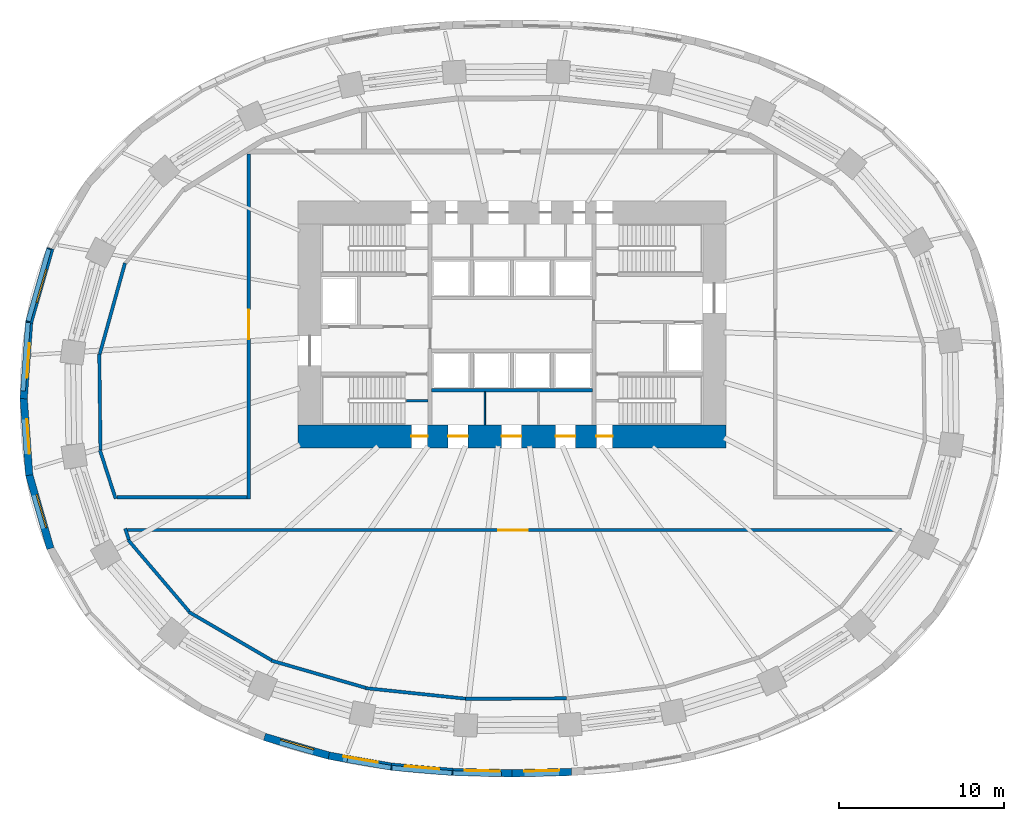
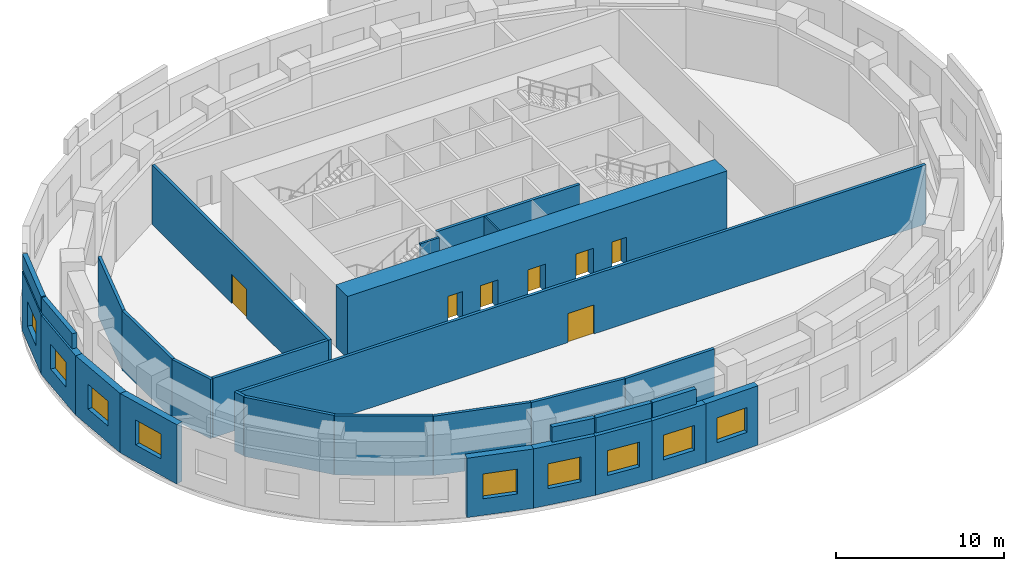
# One storey, part 4 of 9: 30 walls, 9 windows, 7 doors, 16 openings.
"""IFC4 building model written with IfcOpenShell, lengths in metres."""

from ifc_helpers import new_model, si_unit, direction, frame, frame_2d, origin, place, context, subcontext, project, spatial, rectangle, extrude, material, layer, layer_set, type_object, element, fill, save


model = new_model("IFC4")

# Units and contexts
model_context = context("Model", 3, precision=1e-05, world=origin(), true_north=direction((0.0, 1.0)))
body_context = subcontext(model_context, "Body", "Model", "MODEL_VIEW")
ifc_project = project(units=[si_unit("LENGTHUNIT", "METRE"), si_unit("AREAUNIT", "SQUARE_METRE"), si_unit("VOLUMEUNIT", "CUBIC_METRE"), si_unit("PLANEANGLEUNIT", "RADIAN"), si_unit("MASSUNIT", "GRAM", prefix="KILO")], contexts=[model_context])

# Site, building, storey
site_placement = place(None, origin())
site = spatial("IfcSite", under=ifc_project, at=site_placement, CompositionType="ELEMENT")
building_placement = place(site_placement, origin())
building = spatial("IfcBuilding", under=site, at=building_placement, Name="Rubra Terraces Tower", CompositionType="ELEMENT")
storey_placement = place(building_placement, frame((0.0, 0.0, 33.0)))
storey = spatial("IfcBuildingStorey", under=building, at=storey_placement, Name="L05", CompositionType="ELEMENT", Elevation=33.0)

# Wall, opening, window
ifc_material_1 = material(Name="Brick masonry red-brown", Category="masonry")
ifc_layer_1 = layer(ifc_material_1, 0.449951171875)
ifc_layer_set_1 = layer_set([ifc_layer_1], Name="Brick masonry red-brown")
wall_type_1 = type_object("IfcWallType", Name="Brick facade wall 450", PredefinedType="SOLIDWALL", material=ifc_layer_set_1)
wall_1_placement = place(storey_placement, frame((-28.0517578125, 9.122802734375, 0.0), z_axis=(0.0, 0.0, 1.0), x_axis=(-0.27637239746, -0.961050621935, 0.0)))
wall_1 = element("IfcWall", 1, at=wall_1_placement, inside=storey, type_object=wall_type_1, Name="Facade wall L05 bay 19", PredefinedType="SOLIDWALL", context=body_context, shape_type="SweptSolid", body=[
    extrude(rectangle(XDim=4.685302734375, YDim=0.449951171875, at=frame_2d((2.3427734375, 0.0))), origin(), (0.0, 0.0, 1.0), 4.300048828125),
])
opening_1_placement = place(wall_1_placement, frame((1.292724609375, 0.0, 1.199951171875)))
opening_1 = element("IfcOpeningElement", 2, at=opening_1_placement, cuts=wall_1, Name="Opening W4", PredefinedType="OPENING", context=body_context, shape_type="SweptSolid", body=[
    extrude(rectangle(XDim=2.10009765625, YDim=1.800048828125, at=frame_2d((1.050048828125, 0.89990234375))), frame((0.0, 0.23486328125, 0.0), z_axis=(0.0, -1.0, 0.0), x_axis=(1.0, 0.0, 0.0)), (0.0, 0.0, 1.0), 0.469970703125),
])
ifc_material_2 = material(Name="Clear glass in aluminium frame", Category="aluminium")
window_type = type_object("IfcWindowType", Name="Louvred plant window 2100 x 1800", PartitioningType="SINGLE_PANEL", PredefinedType="WINDOW", material=ifc_material_2)
window_1_placement = place(opening_1_placement, origin())
window_1 = element("IfcWindow", 3, at=window_1_placement, inside=storey, type_object=window_type, Name="Window L05 bay 19", OverallHeight=1.800048828125, OverallWidth=2.10009765625, PartitioningType="SINGLE_PANEL", PredefinedType="WINDOW", context=body_context, shape_type="SweptSolid", body=[
    extrude(rectangle(XDim=2.10009765625, YDim=1.800048828125, at=frame_2d((1.050048828125, 0.89990234375))), frame((0.0, 0.135009765625, 0.0), z_axis=(0.0, -1.0, 0.0), x_axis=(1.0, 0.0, 0.0)), (0.0, 0.0, 1.0), 0.06005859375),
])
fill(opening_1, window_1)

wall_2_placement = place(storey_placement, frame((-29.338623046875, 4.665771484375, 0.0), z_axis=(0.0, 0.0, 1.0), x_axis=(-0.071775601577, -0.997420805387, 0.0)))
wall_2 = element("IfcWall", 4, at=wall_2_placement, inside=storey, type_object=wall_type_1, Name="Facade wall L05 bay 20", PredefinedType="SOLIDWALL", context=body_context, shape_type="SweptSolid", body=[
    extrude(rectangle(XDim=4.694091796875, YDim=0.449951171875, at=frame_2d((2.34716796875, 0.0))), origin(), (0.0, 0.0, 1.0), 4.300048828125),
])
opening_2_placement = place(wall_2_placement, frame((1.297119140625, 0.0, 1.199951171875)))
opening_2 = element("IfcOpeningElement", 5, at=opening_2_placement, cuts=wall_2, Name="Opening W4", PredefinedType="OPENING", context=body_context, shape_type="SweptSolid", body=[
    extrude(rectangle(XDim=2.10009765625, YDim=1.800048828125, at=frame_2d((1.050048828125, 0.89990234375))), frame((0.0, 0.23486328125, 0.0), z_axis=(0.0, -1.0, 0.0), x_axis=(1.0, 0.0, 0.0)), (0.0, 0.0, 1.0), 0.469970703125),
])
window_2_placement = place(opening_2_placement, origin())
window_2 = element("IfcWindow", 6, at=window_2_placement, inside=storey, type_object=window_type, Name="Window L05 bay 20", OverallHeight=1.800048828125, OverallWidth=2.10009765625, PartitioningType="SINGLE_PANEL", PredefinedType="WINDOW", context=body_context, shape_type="SweptSolid", body=[
    extrude(rectangle(XDim=2.10009765625, YDim=1.800048828125, at=frame_2d((1.050048828125, 0.89990234375))), frame((0.0, 0.135009765625, 0.0), z_axis=(0.0, -1.0, 0.0), x_axis=(1.0, 0.0, 0.0)), (0.0, 0.0, 1.0), 0.06005859375),
])
fill(opening_2, window_2)

wall_3_placement = place(storey_placement, frame((-29.675537109375, 0.01611328125, 0.0), z_axis=(0.0, 0.0, 1.0), x_axis=(0.071775601577, -0.997420805387, 0.0)))
wall_3 = element("IfcWall", 7, at=wall_3_placement, inside=storey, type_object=wall_type_1, Name="Facade wall L05 bay 21", PredefinedType="SOLIDWALL", context=body_context, shape_type="SweptSolid", body=[
    extrude(rectangle(XDim=4.694091796875, YDim=0.449951171875, at=frame_2d((2.34716796875, 0.0))), origin(), (0.0, 0.0, 1.0), 4.300048828125),
])
opening_3_placement = place(wall_3_placement, frame((1.297119140625, 0.0, 1.199951171875)))
opening_3 = element("IfcOpeningElement", 8, at=opening_3_placement, cuts=wall_3, Name="Opening W4", PredefinedType="OPENING", context=body_context, shape_type="SweptSolid", body=[
    extrude(rectangle(XDim=2.10009765625, YDim=1.800048828125, at=frame_2d((1.050048828125, 0.89990234375))), frame((0.0, 0.23486328125, 0.0), z_axis=(0.0, -1.0, 0.0), x_axis=(1.0, 0.0, 0.0)), (0.0, 0.0, 1.0), 0.469970703125),
])
window_3_placement = place(opening_3_placement, origin())
window_3 = element("IfcWindow", 9, at=window_3_placement, inside=storey, type_object=window_type, Name="Window L05 bay 21", OverallHeight=1.800048828125, OverallWidth=2.10009765625, PartitioningType="SINGLE_PANEL", PredefinedType="WINDOW", context=body_context, shape_type="SweptSolid", body=[
    extrude(rectangle(XDim=2.10009765625, YDim=1.800048828125, at=frame_2d((1.050048828125, 0.89990234375))), frame((0.0, 0.135009765625, 0.0), z_axis=(0.0, -1.0, 0.0), x_axis=(1.0, 0.0, 0.0)), (0.0, 0.0, 1.0), 0.06005859375),
])
fill(opening_3, window_3)

wall_4_placement = place(storey_placement, frame((-29.3466796875, -4.619873046875, 0.0), z_axis=(0.0, 0.0, 1.0), x_axis=(0.27637239746, -0.961050621935, 0.0)))
wall_4 = element("IfcWall", 10, at=wall_4_placement, inside=storey, type_object=wall_type_1, Name="Facade wall L05 bay 22", PredefinedType="SOLIDWALL", context=body_context, shape_type="SweptSolid", body=[
    extrude(rectangle(XDim=4.685302734375, YDim=0.449951171875, at=frame_2d((2.3427734375, 0.0))), origin(), (0.0, 0.0, 1.0), 4.300048828125),
])
opening_4_placement = place(wall_4_placement, frame((1.292724609375, 0.0, 1.199951171875)))
opening_4 = element("IfcOpeningElement", 11, at=opening_4_placement, cuts=wall_4, Name="Opening W4", PredefinedType="OPENING", context=body_context, shape_type="SweptSolid", body=[
    extrude(rectangle(XDim=2.10009765625, YDim=1.800048828125, at=frame_2d((1.050048828125, 0.89990234375))), frame((0.0, 0.23486328125, 0.0), z_axis=(0.0, -1.0, 0.0), x_axis=(1.0, 0.0, 0.0)), (0.0, 0.0, 1.0), 0.469970703125),
])
window_4_placement = place(opening_4_placement, origin())
window_4 = element("IfcWindow", 12, at=window_4_placement, inside=storey, type_object=window_type, Name="Window L05 bay 22", OverallHeight=1.800048828125, OverallWidth=2.10009765625, PartitioningType="SINGLE_PANEL", PredefinedType="WINDOW", context=body_context, shape_type="SweptSolid", body=[
    extrude(rectangle(XDim=2.10009765625, YDim=1.800048828125, at=frame_2d((1.050048828125, 0.89990234375))), frame((0.0, 0.135009765625, 0.0), z_axis=(0.0, -1.0, 0.0), x_axis=(1.0, 0.0, 0.0)), (0.0, 0.0, 1.0), 0.06005859375),
])
fill(opening_4, window_4)

wall_5_placement = place(storey_placement, frame((-15.0380859375, -20.569091796875, 0.0), z_axis=(0.0, 0.0, 1.0), x_axis=(0.960186274122, -0.279360553743, 0.0)))
wall_5 = element("IfcWall", 13, at=wall_5_placement, inside=storey, type_object=wall_type_1, Name="Facade wall L05 bay 27", PredefinedType="SOLIDWALL", context=body_context, shape_type="SweptSolid", body=[
    extrude(rectangle(XDim=4.0908203125, YDim=0.449951171875, at=frame_2d((2.04541015625, 0.0))), origin(), (0.0, 0.0, 1.0), 4.300048828125),
])
opening_5_placement = place(wall_5_placement, frame((0.99560546875, 0.0, 1.199951171875)))
opening_5 = element("IfcOpeningElement", 14, at=opening_5_placement, cuts=wall_5, Name="Opening W4", PredefinedType="OPENING", context=body_context, shape_type="SweptSolid", body=[
    extrude(rectangle(XDim=2.10009765625, YDim=1.800048828125, at=frame_2d((1.050048828125, 0.89990234375))), frame((0.0, 0.23486328125, 0.0), z_axis=(0.0, -1.0, 0.0), x_axis=(1.0, 0.0, 0.0)), (0.0, 0.0, 1.0), 0.469970703125),
])
window_5_placement = place(opening_5_placement, origin())
window_5 = element("IfcWindow", 15, at=window_5_placement, inside=storey, type_object=window_type, Name="Window L05 bay 27", OverallHeight=1.800048828125, OverallWidth=2.10009765625, PartitioningType="SINGLE_PANEL", PredefinedType="WINDOW", context=body_context, shape_type="SweptSolid", body=[
    extrude(rectangle(XDim=2.10009765625, YDim=1.800048828125, at=frame_2d((1.050048828125, 0.89990234375))), frame((0.0, 0.135009765625, 0.0), z_axis=(0.0, -1.0, 0.0), x_axis=(1.0, 0.0, 0.0)), (0.0, 0.0, 1.0), 0.06005859375),
])
fill(opening_5, window_5)

wall_6_placement = place(storey_placement, frame((-11.134033203125, -21.706298828125, 0.0), z_axis=(0.0, 0.0, 1.0), x_axis=(0.984947461591, -0.172853978566, 0.0)))
wall_6 = element("IfcWall", 16, at=wall_6_placement, inside=storey, type_object=wall_type_1, Name="Facade wall L05 bay 28", PredefinedType="SOLIDWALL", context=body_context, shape_type="SweptSolid", body=[
    extrude(rectangle(XDim=3.888427734375, YDim=0.449951171875, at=frame_2d((1.9443359375, 0.0))), origin(), (0.0, 0.0, 1.0), 4.300048828125),
])
opening_6_placement = place(wall_6_placement, frame((0.894287109375, 0.0, 1.199951171875)))
opening_6 = element("IfcOpeningElement", 17, at=opening_6_placement, cuts=wall_6, Name="Opening W4", PredefinedType="OPENING", context=body_context, shape_type="SweptSolid", body=[
    extrude(rectangle(XDim=2.10009765625, YDim=1.800048828125, at=frame_2d((1.050048828125, 0.89990234375))), frame((0.0, 0.23486328125, 0.0), z_axis=(0.0, -1.0, 0.0), x_axis=(1.0, 0.0, 0.0)), (0.0, 0.0, 1.0), 0.469970703125),
])
window_6_placement = place(opening_6_placement, origin())
window_6 = element("IfcWindow", 18, at=window_6_placement, inside=storey, type_object=window_type, Name="Window L05 bay 28", OverallHeight=1.800048828125, OverallWidth=2.10009765625, PartitioningType="SINGLE_PANEL", PredefinedType="WINDOW", context=body_context, shape_type="SweptSolid", body=[
    extrude(rectangle(XDim=2.10009765625, YDim=1.800048828125, at=frame_2d((1.050048828125, 0.89990234375))), frame((0.0, 0.135009765625, 0.0), z_axis=(0.0, -1.0, 0.0), x_axis=(1.0, 0.0, 0.0)), (0.0, 0.0, 1.0), 0.06005859375),
])
fill(opening_6, window_6)

wall_7_placement = place(storey_placement, frame((-7.323486328125, -22.375732421875, 0.0), z_axis=(0.0, 0.0, 1.0), x_axis=(0.996259982326, -0.086406293838, 0.0)))
wall_7 = element("IfcWall", 19, at=wall_7_placement, inside=storey, type_object=wall_type_1, Name="Facade wall L05 bay 29", PredefinedType="SOLIDWALL", context=body_context, shape_type="SweptSolid", body=[
    extrude(rectangle(XDim=3.726806640625, YDim=0.449951171875, at=frame_2d((1.86328125, 0.0))), origin(), (0.0, 0.0, 1.0), 4.300048828125),
])
opening_7_placement = place(wall_7_placement, frame((0.8134765625, 0.0, 1.199951171875)))
opening_7 = element("IfcOpeningElement", 20, at=opening_7_placement, cuts=wall_7, Name="Opening W4", PredefinedType="OPENING", context=body_context, shape_type="SweptSolid", body=[
    extrude(rectangle(XDim=2.10009765625, YDim=1.800048828125, at=frame_2d((1.050048828125, 0.89990234375))), frame((0.0, 0.23486328125, 0.0), z_axis=(0.0, -1.0, 0.0), x_axis=(1.0, 0.0, 0.0)), (0.0, 0.0, 1.0), 0.469970703125),
])
window_7_placement = place(opening_7_placement, origin())
window_7 = element("IfcWindow", 21, at=window_7_placement, inside=storey, type_object=window_type, Name="Window L05 bay 29", OverallHeight=1.800048828125, OverallWidth=2.10009765625, PartitioningType="SINGLE_PANEL", PredefinedType="WINDOW", context=body_context, shape_type="SweptSolid", body=[
    extrude(rectangle(XDim=2.10009765625, YDim=1.800048828125, at=frame_2d((1.050048828125, 0.89990234375))), frame((0.0, 0.135009765625, 0.0), z_axis=(0.0, -1.0, 0.0), x_axis=(1.0, 0.0, 0.0)), (0.0, 0.0, 1.0), 0.06005859375),
])
fill(opening_7, window_7)

wall_8_placement = place(storey_placement, frame((-3.625244140625, -22.697021484375, 0.0), z_axis=(0.0, 0.0, 1.0), x_axis=(0.999769941673, -0.0214490962, 0.0)))
wall_8 = element("IfcWall", 22, at=wall_8_placement, inside=storey, type_object=wall_type_1, Name="Facade wall L05 bay 30", PredefinedType="SOLIDWALL", context=body_context, shape_type="SweptSolid", body=[
    extrude(rectangle(XDim=3.630859375, YDim=0.449951171875, at=frame_2d((1.8154296875, 0.0))), origin(), (0.0, 0.0, 1.0), 4.300048828125),
])
opening_8_placement = place(wall_8_placement, frame((0.765380859375, 0.0, 1.199951171875)))
opening_8 = element("IfcOpeningElement", 23, at=opening_8_placement, cuts=wall_8, Name="Opening W4", PredefinedType="OPENING", context=body_context, shape_type="SweptSolid", body=[
    extrude(rectangle(XDim=2.10009765625, YDim=1.800048828125, at=frame_2d((1.050048828125, 0.89990234375))), frame((0.0, 0.23486328125, 0.0), z_axis=(0.0, -1.0, 0.0), x_axis=(1.0, 0.0, 0.0)), (0.0, 0.0, 1.0), 0.469970703125),
])
window_8_placement = place(opening_8_placement, origin())
window_8 = element("IfcWindow", 24, at=window_8_placement, inside=storey, type_object=window_type, Name="Window L05 bay 30", OverallHeight=1.800048828125, OverallWidth=2.10009765625, PartitioningType="SINGLE_PANEL", PredefinedType="WINDOW", context=body_context, shape_type="SweptSolid", body=[
    extrude(rectangle(XDim=2.10009765625, YDim=1.800048828125, at=frame_2d((1.050048828125, 0.89990234375))), frame((0.0, 0.135009765625, 0.0), z_axis=(0.0, -1.0, 0.0), x_axis=(1.0, 0.0, 0.0)), (0.0, 0.0, 1.0), 0.06005859375),
])
fill(opening_8, window_8)

wall_9_placement = place(storey_placement, frame((-0.0048828125, -22.77490234375, 0.0), z_axis=(0.0, 0.0, 1.0), x_axis=(0.999769941673, 0.0214490962, 0.0)))
wall_9 = element("IfcWall", 25, at=wall_9_placement, inside=storey, type_object=wall_type_1, Name="Facade wall L05 bay 31", PredefinedType="SOLIDWALL", context=body_context, shape_type="SweptSolid", body=[
    extrude(rectangle(XDim=3.630859375, YDim=0.449951171875, at=frame_2d((1.8154296875, 0.0))), origin(), (0.0, 0.0, 1.0), 4.300048828125),
])
opening_9_placement = place(wall_9_placement, frame((0.765380859375, 0.0, 1.199951171875)))
opening_9 = element("IfcOpeningElement", 26, at=opening_9_placement, cuts=wall_9, Name="Opening W4", PredefinedType="OPENING", context=body_context, shape_type="SweptSolid", body=[
    extrude(rectangle(XDim=2.10009765625, YDim=1.800048828125, at=frame_2d((1.050048828125, 0.89990234375))), frame((0.0, 0.23486328125, 0.0), z_axis=(0.0, -1.0, 0.0), x_axis=(1.0, 0.0, 0.0)), (0.0, 0.0, 1.0), 0.469970703125),
])
window_9_placement = place(opening_9_placement, origin())
window_9 = element("IfcWindow", 27, at=window_9_placement, inside=storey, type_object=window_type, Name="Window L05 bay 31", OverallHeight=1.800048828125, OverallWidth=2.10009765625, PartitioningType="SINGLE_PANEL", PredefinedType="WINDOW", context=body_context, shape_type="SweptSolid", body=[
    extrude(rectangle(XDim=2.10009765625, YDim=1.800048828125, at=frame_2d((1.050048828125, 0.89990234375))), frame((0.0, 0.135009765625, 0.0), z_axis=(0.0, -1.0, 0.0), x_axis=(1.0, 0.0, 0.0)), (0.0, 0.0, 1.0), 0.06005859375),
])
fill(opening_9, window_9)

# Walls
ifc_layer_2 = layer(ifc_material_1, 0.300048828125)
ifc_layer_set_2 = layer_set([ifc_layer_2], Name="Brick masonry red-brown")
wall_type_2 = type_object("IfcWallType", Name="Brick parapet 300", PredefinedType="PARAPET", material=ifc_layer_set_2)
wall_10_placement = place(storey_placement, frame((-28.142333984375, 9.0791015625, 4.5), z_axis=(0.0, 0.0, 1.0), x_axis=(-0.276383504123, -0.961047427887, 0.0)))
element("IfcWall", 28, at=wall_10_placement, inside=storey, type_object=wall_type_2, Name="Parapet L05 bay 19", PredefinedType="PARAPET", context=body_context, shape_type="SweptSolid", body=[
    extrude(rectangle(XDim=4.55712890625, YDim=0.300048828125, at=frame_2d((2.278564453125, 0.0))), origin(), (0.0, 0.0, 1.0), 1.10009765625),
])
wall_11_placement = place(storey_placement, frame((-29.417724609375, 4.610107421875, 4.5), z_axis=(0.0, 0.0, 1.0), x_axis=(-0.071780933021, -0.997420421715, 0.0)))
element("IfcWall", 29, at=wall_11_placement, inside=storey, type_object=wall_type_2, Name="Parapet L05 bay 20", PredefinedType="PARAPET", context=body_context, shape_type="SweptSolid", body=[
    extrude(rectangle(XDim=4.15966796875, YDim=0.300048828125, at=frame_2d((2.079833984375, 0.0))), origin(), (0.0, 0.0, 1.0), 1.10009765625),
])
wall_12_placement = place(storey_placement, frame((-10.010498046875, -21.979736328125, 4.5), z_axis=(0.0, 0.0, 1.0), x_axis=(0.984955670295, -0.172807197634, 0.0)))
element("IfcWall", 30, at=wall_12_placement, inside=storey, type_object=wall_type_2, Name="Parapet L05 bay 28", PredefinedType="PARAPET", context=body_context, shape_type="SweptSolid", body=[
    extrude(rectangle(XDim=2.69140625, YDim=0.300048828125, at=frame_2d((1.345703125, 0.0))), origin(), (0.0, 0.0, 1.0), 1.10009765625),
])
wall_13_placement = place(storey_placement, frame((-7.287109375, -22.454345703125, 4.5), z_axis=(0.0, 0.0, 1.0), x_axis=(0.996264431799, -0.086354976302, 0.0)))
element("IfcWall", 31, at=wall_13_placement, inside=storey, type_object=wall_type_2, Name="Parapet L05 bay 29", PredefinedType="PARAPET", context=body_context, shape_type="SweptSolid", body=[
    extrude(rectangle(XDim=3.644287109375, YDim=0.300048828125, at=frame_2d((1.822265625, 0.0))), origin(), (0.0, 0.0, 1.0), 1.10009765625),
])
wall_14_placement = place(storey_placement, frame((-3.5869140625, -22.77294921875, 4.5), z_axis=(0.0, 0.0, 1.0), x_axis=(0.999770879002, -0.021405361467, 0.0)))
element("IfcWall", 32, at=wall_14_placement, inside=storey, type_object=wall_type_2, Name="Parapet L05 bay 30", PredefinedType="PARAPET", context=body_context, shape_type="SweptSolid", body=[
    extrude(rectangle(XDim=2.9541015625, YDim=0.300048828125, at=frame_2d((1.47705078125, 0.0))), origin(), (0.0, 0.0, 1.0), 1.10009765625),
])

# Wall, openings, doors
ifc_material_3 = material(Name="Concrete C70", Category="concrete")
ifc_layer_3 = layer(ifc_material_3, 1.39990234375)
ifc_layer_set_3 = layer_set([ifc_layer_3], Name="Concrete C70")
wall_type_3 = type_object("IfcWallType", Name="CORE WALL 1400 C70", PredefinedType="SHEAR", material=ifc_layer_set_3)
wall_15_placement = place(storey_placement, frame((-13.0, -2.300048828125, 0.0), z_axis=(0.0, 0.0, 1.0), x_axis=(1.0, 0.0, 0.0)))
wall_15 = element("IfcWall", 33, at=wall_15_placement, inside=storey, type_object=wall_type_3, Name="CORE WALL S L05", PredefinedType="SHEAR", context=body_context, shape_type="SweptSolid", body=[
    extrude(rectangle(XDim=26.0, YDim=1.39990234375, at=frame_2d((13.0, 0.0))), origin(), (0.0, 0.0, 1.0), 4.5),
])
opening_10_placement = place(wall_15_placement, frame((9.125, 0.0, 0.0)))
opening_10 = element("IfcOpeningElement", 34, at=opening_10_placement, cuts=wall_15, Name="Opening L05.C13", PredefinedType="OPENING", context=body_context, shape_type="SweptSolid", body=[
    extrude(rectangle(XDim=1.199951171875, YDim=2.10009765625, at=frame_2d((0.60009765625, 1.050048828125))), frame((0.0, 0.7099609375, 0.0), z_axis=(0.0, -1.0, 0.0), x_axis=(1.0, 0.0, 0.0)), (0.0, 0.0, 1.0), 1.419921875),
])
opening_11_placement = place(wall_15_placement, frame((12.375, 0.0, 0.0)))
opening_11 = element("IfcOpeningElement", 35, at=opening_11_placement, cuts=wall_15, Name="Opening L05.C14", PredefinedType="OPENING", context=body_context, shape_type="SweptSolid", body=[
    extrude(rectangle(XDim=1.199951171875, YDim=2.10009765625, at=frame_2d((0.60009765625, 1.050048828125))), frame((0.0, 0.7099609375, 0.0), z_axis=(0.0, -1.0, 0.0), x_axis=(1.0, 0.0, 0.0)), (0.0, 0.0, 1.0), 1.419921875),
])
opening_12_placement = place(wall_15_placement, frame((15.64990234375, 0.0, 0.0)))
opening_12 = element("IfcOpeningElement", 36, at=opening_12_placement, cuts=wall_15, Name="Opening L05.C15", PredefinedType="OPENING", context=body_context, shape_type="SweptSolid", body=[
    extrude(rectangle(XDim=1.199951171875, YDim=2.10009765625, at=frame_2d((0.60009765625, 1.050048828125))), frame((0.0, 0.7099609375, 0.0), z_axis=(0.0, -1.0, 0.0), x_axis=(1.0, 0.0, 0.0)), (0.0, 0.0, 1.0), 1.419921875),
])
opening_13_placement = place(wall_15_placement, frame((6.8798828125, 0.0, 0.0)))
opening_13 = element("IfcOpeningElement", 37, at=opening_13_placement, cuts=wall_15, Name="Opening L05.C20", PredefinedType="OPENING", context=body_context, shape_type="SweptSolid", body=[
    extrude(rectangle(XDim=1.0, YDim=2.10009765625, at=frame_2d((0.5, 1.050048828125))), frame((0.0, 0.7099609375, 0.0), z_axis=(0.0, -1.0, 0.0), x_axis=(1.0, 0.0, 0.0)), (0.0, 0.0, 1.0), 1.419921875),
])
opening_14_placement = place(wall_15_placement, frame((18.1201171875, 0.0, 0.0)))
opening_14 = element("IfcOpeningElement", 38, at=opening_14_placement, cuts=wall_15, Name="Opening L05.C23", PredefinedType="OPENING", context=body_context, shape_type="SweptSolid", body=[
    extrude(rectangle(XDim=1.0, YDim=2.10009765625, at=frame_2d((0.5, 1.050048828125))), frame((0.0, 0.7099609375, 0.0), z_axis=(0.0, -1.0, 0.0), x_axis=(1.0, 0.0, 0.0)), (0.0, 0.0, 1.0), 1.419921875),
])
ifc_material_4 = material(Name="Painted steel", Category="steel")
door_type_1 = type_object("IfcDoorType", Name="Fire door 1000x2100 single", OperationType="NOTDEFINED", PredefinedType="DOOR", material=ifc_material_4)
door_1_placement = place(opening_13_placement, origin())
door_1 = element("IfcDoor", 39, at=door_1_placement, inside=storey, type_object=door_type_1, Name="Stair S1 refuge door", OperationType="SINGLE_SWING_RIGHT", OverallHeight=2.10009765625, OverallWidth=1.0, PredefinedType="DOOR", context=body_context, shape_type="SweptSolid", body=[
    extrude(rectangle(XDim=1.0, YDim=2.10009765625, at=frame_2d((0.5, 1.050048828125))), frame((0.0, 0.02490234375, 0.0), z_axis=(0.0, -1.0, 0.0), x_axis=(1.0, 0.0, 0.0)), (0.0, 0.0, 1.0), 0.050048828125),
])
fill(opening_13, door_1)
door_2_placement = place(opening_14_placement, origin())
door_2 = element("IfcDoor", 40, at=door_2_placement, inside=storey, type_object=door_type_1, Name="Stair S4 refuge door", OperationType="SINGLE_SWING_LEFT", OverallHeight=2.10009765625, OverallWidth=1.0, PredefinedType="DOOR", context=body_context, shape_type="SweptSolid", body=[
    extrude(rectangle(XDim=1.0, YDim=2.10009765625, at=frame_2d((0.5, 1.050048828125))), frame((0.0, 0.02490234375, 0.0), z_axis=(0.0, -1.0, 0.0), x_axis=(1.0, 0.0, 0.0)), (0.0, 0.0, 1.0), 0.050048828125),
])
fill(opening_14, door_2)
door_type_2 = type_object("IfcDoorType", Name="Fire door 1200x2100 single", OperationType="NOTDEFINED", PredefinedType="DOOR", material=ifc_material_4)
door_3_placement = place(opening_10_placement, origin())
door_3 = element("IfcDoor", 41, at=door_3_placement, inside=storey, type_object=door_type_2, Name="Air handling plant room door", OperationType="SINGLE_SWING_LEFT", OverallHeight=2.10009765625, OverallWidth=1.199951171875, PredefinedType="DOOR", context=body_context, shape_type="SweptSolid", body=[
    extrude(rectangle(XDim=1.199951171875, YDim=2.10009765625, at=frame_2d((0.60009765625, 1.050048828125))), frame((0.0, 0.02490234375, 0.0), z_axis=(0.0, -1.0, 0.0), x_axis=(1.0, 0.0, 0.0)), (0.0, 0.0, 1.0), 0.050048828125),
])
fill(opening_10, door_3)
door_4_placement = place(opening_11_placement, origin())
door_4 = element("IfcDoor", 42, at=door_4_placement, inside=storey, type_object=door_type_2, Name="Air handling plant room door", OperationType="SINGLE_SWING_RIGHT", OverallHeight=2.10009765625, OverallWidth=1.199951171875, PredefinedType="DOOR", context=body_context, shape_type="SweptSolid", body=[
    extrude(rectangle(XDim=1.199951171875, YDim=2.10009765625, at=frame_2d((0.60009765625, 1.050048828125))), frame((0.0, 0.02490234375, 0.0), z_axis=(0.0, -1.0, 0.0), x_axis=(1.0, 0.0, 0.0)), (0.0, 0.0, 1.0), 0.050048828125),
])
fill(opening_11, door_4)
door_5_placement = place(opening_12_placement, origin())
door_5 = element("IfcDoor", 43, at=door_5_placement, inside=storey, type_object=door_type_2, Name="Mechanical pump room door", OperationType="SINGLE_SWING_LEFT", OverallHeight=2.10009765625, OverallWidth=1.199951171875, PredefinedType="DOOR", context=body_context, shape_type="SweptSolid", body=[
    extrude(rectangle(XDim=1.199951171875, YDim=2.10009765625, at=frame_2d((0.60009765625, 1.050048828125))), frame((0.0, 0.02490234375, 0.0), z_axis=(0.0, -1.0, 0.0), x_axis=(1.0, 0.0, 0.0)), (0.0, 0.0, 1.0), 0.050048828125),
])
fill(opening_12, door_5)

# Walls
ifc_material_5 = material(Name="Concrete C30", Category="concrete")
ifc_layer_4 = layer(ifc_material_5, 0.199951171875)
ifc_layer_set_4 = layer_set([ifc_layer_4], Name="Concrete C30")
wall_type_4 = type_object("IfcWallType", Name="Core wall 200 concrete", PredefinedType="SOLIDWALL", material=ifc_layer_set_4)
wall_16_placement = place(storey_placement, frame((-4.89990234375, 0.5, 0.0), z_axis=(0.0, 0.0, 1.0), x_axis=(1.0, 0.0, 0.0)))
element("IfcWall", 44, at=wall_16_placement, inside=storey, type_object=wall_type_4, Name="LIFT SHAFT WALL L05", PredefinedType="SOLIDWALL", context=body_context, shape_type="SweptSolid", body=[
    extrude(rectangle(XDim=9.7998046875, YDim=0.199951171875, at=frame_2d((4.89990234375, 0.0))), origin(), (0.0, 0.0, 1.0), 4.300048828125),
])
ifc_material_6 = material(Name="Blockwork", Category="masonry")
ifc_layer_5 = layer(ifc_material_6, 0.199951171875)
ifc_layer_set_5 = layer_set([ifc_layer_5], Name="Blockwork")
wall_type_5 = type_object("IfcWallType", Name="Corridor partition 200 blockwork", PredefinedType="PARTITIONING", material=ifc_layer_set_5)
wall_17_placement = place(storey_placement, frame((3.30810546875, -18.22412109375, 0.0), z_axis=(0.0, 0.0, 1.0), x_axis=(-0.999988230875, -0.004851609169, 0.0)))
element("IfcWall", 45, at=wall_17_placement, inside=storey, type_object=wall_type_5, Name="Partition wall", PredefinedType="PARTITIONING", context=body_context, shape_type="SweptSolid", body=[
    extrude(rectangle(XDim=6.13916015625, YDim=0.199951171875, at=frame_2d((3.069580078125, 0.0))), origin(), (0.0, 0.0, 1.0), 4.300048828125),
])
wall_18_placement = place(storey_placement, frame((-2.830078125, -18.243896484375, 0.0), z_axis=(0.0, 0.0, 1.0), x_axis=(-0.994495561058, 0.10477871461, 0.0)))
element("IfcWall", 46, at=wall_18_placement, inside=storey, type_object=wall_type_5, Name="Partition wall", PredefinedType="PARTITIONING", context=body_context, shape_type="SweptSolid", body=[
    extrude(rectangle(XDim=6.08837890625, YDim=0.199951171875, at=frame_2d((3.044189453125, 0.0))), origin(), (0.0, 0.0, 1.0), 4.300048828125),
])
wall_19_placement = place(storey_placement, frame((-8.882080078125, -17.587890625, 0.0), z_axis=(0.0, 0.0, 1.0), x_axis=(-0.960715878889, 0.277533781818, 0.0)))
element("IfcWall", 47, at=wall_19_placement, inside=storey, type_object=wall_type_5, Name="Partition wall", PredefinedType="PARTITIONING", context=body_context, shape_type="SweptSolid", body=[
    extrude(rectangle(XDim=5.970458984375, YDim=0.199951171875, at=frame_2d((2.9853515625, 0.0))), origin(), (0.0, 0.0, 1.0), 4.300048828125),
])
wall_20_placement = place(storey_placement, frame((-14.60791015625, -15.908935546875, 0.0), z_axis=(0.0, 0.0, 1.0), x_axis=(-0.863803195861, 0.503829374709, 0.0)))
element("IfcWall", 48, at=wall_20_placement, inside=storey, type_object=wall_type_5, Name="Partition wall", PredefinedType="PARTITIONING", context=body_context, shape_type="SweptSolid", body=[
    extrude(rectangle(XDim=5.831298828125, YDim=0.199951171875, at=frame_2d((2.91552734375, 0.0))), origin(), (0.0, 0.0, 1.0), 4.300048828125),
])
wall_21_placement = place(storey_placement, frame((-19.6240234375, -12.945068359375, 0.0), z_axis=(0.0, 0.0, 1.0), x_axis=(-0.648549295441, 0.761172655435, 0.0)))
element("IfcWall", 49, at=wall_21_placement, inside=storey, type_object=wall_type_5, Name="Partition wall", PredefinedType="PARTITIONING", context=body_context, shape_type="SweptSolid", body=[
    extrude(rectangle(XDim=5.692626953125, YDim=0.199951171875, at=frame_2d((2.84619140625, 0.0))), origin(), (0.0, 0.0, 1.0), 4.300048828125),
])
wall_22_placement = place(storey_placement, frame((-23.281982421875, -8.593017578125, 0.0), z_axis=(0.0, 0.0, 1.0), x_axis=(-0.306992912324, 0.951711800801, 0.0)))
element("IfcWall", 50, at=wall_22_placement, inside=storey, type_object=wall_type_5, Name="Partition wall", PredefinedType="PARTITIONING", context=body_context, shape_type="SweptSolid", body=[
    extrude(rectangle(XDim=0.722900390625, YDim=0.199951171875, at=frame_2d((0.361328125, 0.0))), origin(), (0.0, 0.0, 1.0), 4.300048828125),
])

# Wall, opening, door
wall_23_placement = place(storey_placement, frame((-23.373046875, -8.0, 0.0), z_axis=(0.0, 0.0, 1.0), x_axis=(1.0, 0.0, 0.0)))
wall_23 = element("IfcWall", 51, at=wall_23_placement, inside=storey, type_object=wall_type_5, Name="Partition wall", PredefinedType="PARTITIONING", context=body_context, shape_type="SweptSolid", body=[
    extrude(rectangle(XDim=47.05615234375, YDim=0.199951171875, at=frame_2d((23.528076171875, 0.0))), origin(), (0.0, 0.0, 1.0), 4.300048828125),
])
opening_15_placement = place(wall_23_placement, frame((22.528076171875, 0.0, 0.0)))
opening_15 = element("IfcOpeningElement", 52, at=opening_15_placement, cuts=wall_23, Name="Opening DB3", PredefinedType="OPENING", context=body_context, shape_type="SweptSolid", body=[
    extrude(rectangle(XDim=1.800048828125, YDim=2.10009765625, at=frame_2d((0.89990234375, 1.050048828125))), frame((0.0, 0.10986328125, 0.0), z_axis=(0.0, -1.0, 0.0), x_axis=(1.0, 0.0, 0.0)), (0.0, 0.0, 1.0), 0.219970703125),
])
door_type_3 = type_object("IfcDoorType", Name="Door 1800x2100 double", OperationType="NOTDEFINED", PredefinedType="DOOR", material=ifc_material_4)
door_6_placement = place(opening_15_placement, origin())
door_6 = element("IfcDoor", 53, at=door_6_placement, inside=storey, type_object=door_type_3, Name="Refuge area door L05-01", OperationType="DOUBLE_DOOR_SINGLE_SWING", OverallHeight=2.10009765625, OverallWidth=1.800048828125, PredefinedType="DOOR", context=body_context, shape_type="SweptSolid", body=[
    extrude(rectangle(XDim=1.800048828125, YDim=2.10009765625, at=frame_2d((0.89990234375, 1.050048828125))), frame((0.0, 0.02490234375, 0.0), z_axis=(0.0, -1.0, 0.0), x_axis=(1.0, 0.0, 0.0)), (0.0, 0.0, 1.0), 0.050048828125),
])
fill(opening_15, door_6)

# Walls
wall_24_placement = place(storey_placement, frame((-24.0869140625, -6.094970703125, 0.0), z_axis=(0.0, 0.0, 1.0), x_axis=(-0.307348144774, 0.951597140551, 0.0)))
element("IfcWall", 54, at=wall_24_placement, inside=storey, type_object=wall_type_5, Name="Partition wall", PredefinedType="PARTITIONING", context=body_context, shape_type="SweptSolid", body=[
    extrude(rectangle(XDim=3.097900390625, YDim=0.199951171875, at=frame_2d((1.548828125, 0.0))), origin(), (0.0, 0.0, 1.0), 4.300048828125),
])
wall_25_placement = place(storey_placement, frame((-25.009033203125, -3.14208984375, 0.0), z_axis=(0.0, 0.0, 1.0), x_axis=(-0.012494323245, 0.999921942897, 0.0)))
element("IfcWall", 55, at=wall_25_placement, inside=storey, type_object=wall_type_5, Name="Partition wall", PredefinedType="PARTITIONING", context=body_context, shape_type="SweptSolid", body=[
    extrude(rectangle(XDim=5.842529296875, YDim=0.199951171875, at=frame_2d((2.92138671875, 0.0))), origin(), (0.0, 0.0, 1.0), 4.300048828125),
])
wall_26_placement = place(storey_placement, frame((-25.053955078125, 2.696044921875, 0.0), z_axis=(0.0, 0.0, 1.0), x_axis=(0.267360914268, 0.96359646197, 0.0)))
element("IfcWall", 56, at=wall_26_placement, inside=storey, type_object=wall_type_5, Name="Partition wall", PredefinedType="PARTITIONING", context=body_context, shape_type="SweptSolid", body=[
    extrude(rectangle(XDim=5.740966796875, YDim=0.199951171875, at=frame_2d((2.87060546875, 0.0))), origin(), (0.0, 0.0, 1.0), 4.300048828125),
])

# Wall, opening, door
wall_27_placement = place(storey_placement, frame((-16.0, 14.85009765625, 0.0), z_axis=(0.0, 0.0, 1.0), x_axis=(0.0, -1.0, 0.0)))
wall_27 = element("IfcWall", 57, at=wall_27_placement, inside=storey, type_object=wall_type_5, Name="Partition wall", PredefinedType="PARTITIONING", context=body_context, shape_type="SweptSolid", body=[
    extrude(rectangle(XDim=20.9501953125, YDim=0.199951171875, at=frame_2d((10.47509765625, 0.0))), origin(), (0.0, 0.0, 1.0), 4.300048828125),
])
opening_16_placement = place(wall_27_placement, frame((9.449951171875, 0.0, 0.0)))
opening_16 = element("IfcOpeningElement", 58, at=opening_16_placement, cuts=wall_27, Name="Opening DB3", PredefinedType="OPENING", context=body_context, shape_type="SweptSolid", body=[
    extrude(rectangle(XDim=1.800048828125, YDim=2.10009765625, at=frame_2d((0.89990234375, 1.050048828125))), frame((0.0, 0.10986328125, 0.0), z_axis=(0.0, -1.0, 0.0), x_axis=(1.0, 0.0, 0.0)), (0.0, 0.0, 1.0), 0.219970703125),
])
door_7_placement = place(opening_16_placement, origin())
door_7 = element("IfcDoor", 59, at=door_7_placement, inside=storey, type_object=door_type_3, Name="Refuge area door L05-02", OperationType="DOUBLE_DOOR_SINGLE_SWING", OverallHeight=2.10009765625, OverallWidth=1.800048828125, PredefinedType="DOOR", context=body_context, shape_type="SweptSolid", body=[
    extrude(rectangle(XDim=1.800048828125, YDim=2.10009765625, at=frame_2d((0.89990234375, 1.050048828125))), frame((0.0, 0.02490234375, 0.0), z_axis=(0.0, -1.0, 0.0), x_axis=(1.0, 0.0, 0.0)), (0.0, 0.0, 1.0), 0.050048828125),
])
fill(opening_16, door_7)

# Walls
wall_28_placement = place(storey_placement, frame((-16.10009765625, -6.0, 0.0), z_axis=(0.0, 0.0, 1.0), x_axis=(-1.0, 0.0, 0.0)))
element("IfcWall", 60, at=wall_28_placement, inside=storey, type_object=wall_type_5, Name="Partition wall", PredefinedType="PARTITIONING", context=body_context, shape_type="SweptSolid", body=[
    extrude(rectangle(XDim=7.91796875, YDim=0.199951171875, at=frame_2d((3.958984375, 0.0))), origin(), (0.0, 0.0, 1.0), 4.300048828125),
])
ifc_layer_6 = layer(ifc_material_6, 0.10009765625)
ifc_layer_set_6 = layer_set([ifc_layer_6], Name="Blockwork")
wall_type_6 = type_object("IfcWallType", Name="Service partition 100 blockwork", PredefinedType="PARTITIONING", material=ifc_layer_set_6)
wall_29_placement = place(storey_placement, frame((-1.64990234375, -1.60009765625, 0.0), z_axis=(0.0, 0.0, 1.0), x_axis=(0.0, 1.0, 0.0)))
element("IfcWall", 61, at=wall_29_placement, inside=storey, type_object=wall_type_6, Name="SERVICE ROOM PARTITION L05", PredefinedType="PARTITIONING", context=body_context, shape_type="SweptSolid", body=[
    extrude(rectangle(XDim=2.0, YDim=0.10009765625, at=frame_2d((1.0, 0.0))), origin(), (0.0, 0.0, 1.0), 4.300048828125),
])
ifc_material_7 = material(Name="Concrete C40", Category="concrete")
ifc_layer_7 = layer(ifc_material_7, 0.14990234375)
ifc_layer_set_7 = layer_set([ifc_layer_7], Name="Concrete C40")
wall_type_7 = type_object("IfcWallType", Name="Stair separation wall 150 concrete", PredefinedType="SOLIDWALL", material=ifc_layer_set_7)
wall_30_placement = place(storey_placement, frame((-6.39990234375, -0.125, 0.0), z_axis=(0.0, 0.0, 1.0), x_axis=(1.0, 0.0, 0.0)))
element("IfcWall", 62, at=wall_30_placement, inside=storey, type_object=wall_type_7, Name="STAIR SEPARATION WALL L05", PredefinedType="SOLIDWALL", context=body_context, shape_type="SweptSolid", body=[
    extrude(rectangle(XDim=1.2998046875, YDim=0.14990234375, at=frame_2d((0.64990234375, 0.0))), origin(), (0.0, 0.0, 1.0), 4.300048828125),
])

save(model, "model.ifc")
